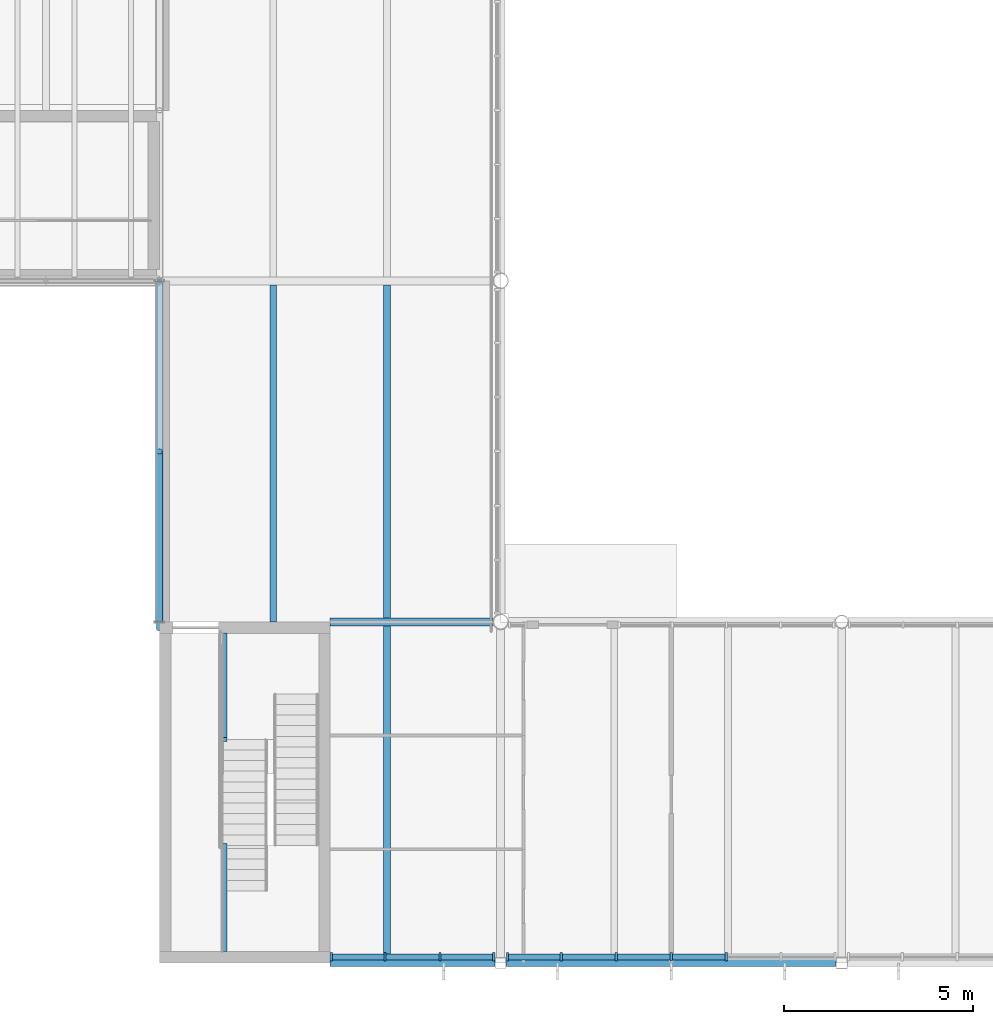
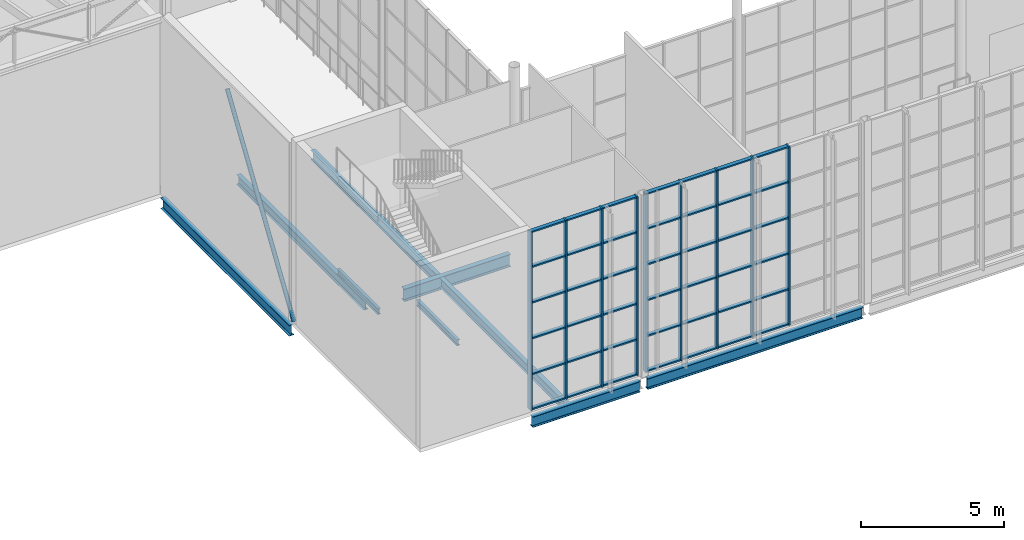
# One storey, part 46 of 90: 52 members, 10 beams, 2 elements without a shape of their own.
"""IFC4 building model written with IfcOpenShell, lengths in metres."""

from ifc_helpers import new_model, si_unit, direction, frame, origin, origin_2d, place, context, subcontext, project, spatial, rectangle, hollow_circle, i_section, extrude, material, layer, layer_set, material_profile, profile_set, type_object, element, aggregate, save


model = new_model("IFC4")

# Units and contexts
model_context = context("Model", 3, precision=1e-05, world=origin(), true_north=direction((0.0, 1.0)))
body_context = subcontext(model_context, "Body", "Model", "MODEL_VIEW")
ifc_project = project(units=[si_unit("LENGTHUNIT", "METRE"), si_unit("AREAUNIT", "SQUARE_METRE"), si_unit("VOLUMEUNIT", "CUBIC_METRE"), si_unit("PLANEANGLEUNIT", "RADIAN"), si_unit("MASSUNIT", "GRAM", prefix="KILO")], contexts=[model_context])

# Site, building, storey
site_placement = place(None, origin())
site = spatial("IfcSite", under=ifc_project, at=site_placement, CompositionType="ELEMENT")
building_placement = place(site_placement, origin())
building = spatial("IfcBuilding", under=site, at=building_placement, Name="Halyard Row Museum", CompositionType="ELEMENT")
storey_placement = place(building_placement, frame((0.0, 0.0, 13.39990234375)))
storey = spatial("IfcBuildingStorey", under=building, at=storey_placement, Name="L03", CompositionType="ELEMENT", Elevation=13.39990234375)

# Member
ifc_material_1 = material(Name="Steel Grade C350L0", Category="steel")
ifc_material_profile_1 = material_profile(ifc_material_1, hollow_circle(Radius=0.084228515625, WallThickness=0.007080078125, at=origin_2d()), Name="168.3x7.1CHS")
ifc_profile_set_1 = profile_set([ifc_material_profile_1], Name="Steel Grade C350L0")
member_type_1 = type_object("IfcMemberType", Name="Brace 168.3x7.1CHS", PredefinedType="BRACE", material=ifc_profile_set_1)
member_1_placement = place(storey_placement, frame((72.0, 8.830078125, 0.084228515625), z_axis=(0.0, 0.549136067158, 0.83573295959), x_axis=(-1.0, 0.0, 0.0)))
element("IfcMember", 1, at=member_1_placement, inside=storey, type_object=member_type_1, Name="Brace L03 X72 9-18 A", PredefinedType="BRACE", context=body_context, shape_type="SweptSolid", body=[
    extrude(hollow_circle(Radius=0.084228515625, WallThickness=0.007080078125, at=origin_2d()), origin(), (0.0, 0.0, 1.0), 8.504150390625),
])

# Curtain wall, members
ifc_material_2 = material(Name="Double glazed unit, low-emissivity", Category="glass")
ifc_layer = layer(ifc_material_2, 0.219970703125)
ifc_layer_set = layer_set([ifc_layer], Name="Double glazed unit, low-emissivity")
curtain_wall_type = type_object("IfcCurtainWallType", Name="Curtain wall unitised 220 deep", PredefinedType="NOTDEFINED", material=ifc_layer_set)
curtain_wall_1_placement = place(storey_placement, origin())
curtain_wall_1 = element("IfcCurtainWall", 2, at=curtain_wall_1_placement, inside=storey, type_object=curtain_wall_type, Name="Curtain wall CW044", PredefinedType="NOTDEFINED")
ifc_material_3 = material(Name="Powder-coated aluminium section", Category="aluminium")
ifc_material_profile_2 = material_profile(ifc_material_3, rectangle(XDim=0.219970703125, YDim=0.06005859375, at=origin_2d()), Name="220x60 mullion")
ifc_profile_set_2 = profile_set([ifc_material_profile_2], Name="Powder-coated aluminium section")
member_type_2 = type_object("IfcMemberType", Name="Curtain wall mullion CM3 60 x 220", PredefinedType="MULLION", material=ifc_profile_set_2)
member_2_placement = place(storey_placement, frame((76.530029296875, 0.159912109375, 0.0), z_axis=(0.0, 0.0, 1.0), x_axis=(0.0, 1.0, 0.0)))
member_2 = element("IfcMember", 3, at=member_2_placement, type_object=member_type_2, Name="CW044 mullion 1", PredefinedType="MULLION", context=body_context, shape_type="SweptSolid", body=[
    extrude(rectangle(XDim=0.219970703125, YDim=0.06005859375, at=origin_2d()), origin(), (0.0, 0.0, 1.0), 7.635009765625),
])
member_3_placement = place(storey_placement, frame((77.949951171875, 0.159912109375, 0.0), z_axis=(0.0, 0.0, 1.0), x_axis=(0.0, 1.0, 0.0)))
member_3 = element("IfcMember", 4, at=member_3_placement, type_object=member_type_2, Name="CW044 mullion 2", PredefinedType="MULLION", context=body_context, shape_type="SweptSolid", body=[
    extrude(rectangle(XDim=0.219970703125, YDim=0.06005859375, at=origin_2d()), origin(), (0.0, 0.0, 1.0), 7.635009765625),
])
member_4_placement = place(storey_placement, frame((79.39990234375, 0.159912109375, 0.0), z_axis=(0.0, 0.0, 1.0), x_axis=(0.0, 1.0, 0.0)))
member_4 = element("IfcMember", 5, at=member_4_placement, type_object=member_type_2, Name="CW044 mullion 3", PredefinedType="MULLION", context=body_context, shape_type="SweptSolid", body=[
    extrude(rectangle(XDim=0.219970703125, YDim=0.06005859375, at=origin_2d()), origin(), (0.0, 0.0, 1.0), 7.635009765625),
])
member_5_placement = place(storey_placement, frame((80.820068359375, 0.159912109375, 0.0), z_axis=(0.0, 0.0, 1.0), x_axis=(0.0, 1.0, 0.0)))
member_5 = element("IfcMember", 6, at=member_5_placement, type_object=member_type_2, Name="CW044 mullion 4", PredefinedType="MULLION", context=body_context, shape_type="SweptSolid", body=[
    extrude(rectangle(XDim=0.219970703125, YDim=0.06005859375, at=origin_2d()), origin(), (0.0, 0.0, 1.0), 7.635009765625),
])

curtain_wall_2_placement = place(storey_placement, origin())
curtain_wall_2 = element("IfcCurtainWall", 7, at=curtain_wall_2_placement, inside=storey, type_object=curtain_wall_type, Name="Curtain wall CW045", PredefinedType="NOTDEFINED")
member_6_placement = place(storey_placement, frame((81.179931640625, 0.159912109375, 0.0), z_axis=(0.0, 0.0, 1.0), x_axis=(0.0, 1.0, 0.0)))
member_6 = element("IfcMember", 8, at=member_6_placement, type_object=member_type_2, Name="CW045 mullion 1", PredefinedType="MULLION", context=body_context, shape_type="SweptSolid", body=[
    extrude(rectangle(XDim=0.219970703125, YDim=0.06005859375, at=origin_2d()), origin(), (0.0, 0.0, 1.0), 7.635009765625),
])
member_7_placement = place(storey_placement, frame((82.60009765625, 0.159912109375, 0.0), z_axis=(0.0, 0.0, 1.0), x_axis=(0.0, 1.0, 0.0)))
member_7 = element("IfcMember", 9, at=member_7_placement, type_object=member_type_2, Name="CW045 mullion 2", PredefinedType="MULLION", context=body_context, shape_type="SweptSolid", body=[
    extrude(rectangle(XDim=0.219970703125, YDim=0.06005859375, at=origin_2d()), origin(), (0.0, 0.0, 1.0), 7.635009765625),
])
member_8_placement = place(storey_placement, frame((84.050048828125, 0.159912109375, 0.0), z_axis=(0.0, 0.0, 1.0), x_axis=(0.0, 1.0, 0.0)))
member_8 = element("IfcMember", 10, at=member_8_placement, type_object=member_type_2, Name="CW045 mullion 3", PredefinedType="MULLION", context=body_context, shape_type="SweptSolid", body=[
    extrude(rectangle(XDim=0.219970703125, YDim=0.06005859375, at=origin_2d()), origin(), (0.0, 0.0, 1.0), 7.635009765625),
])
member_9_placement = place(storey_placement, frame((85.5, 0.159912109375, 0.0), z_axis=(0.0, 0.0, 1.0), x_axis=(0.0, 1.0, 0.0)))
member_9 = element("IfcMember", 11, at=member_9_placement, type_object=member_type_2, Name="CW045 mullion 4", PredefinedType="MULLION", context=body_context, shape_type="SweptSolid", body=[
    extrude(rectangle(XDim=0.219970703125, YDim=0.06005859375, at=origin_2d()), origin(), (0.0, 0.0, 1.0), 7.635009765625),
])
member_10_placement = place(storey_placement, frame((86.949951171875, 0.159912109375, 0.0), z_axis=(0.0, 0.0, 1.0), x_axis=(0.0, 1.0, 0.0)))
member_10 = element("IfcMember", 12, at=member_10_placement, type_object=member_type_2, Name="CW045 mullion 5", PredefinedType="MULLION", context=body_context, shape_type="SweptSolid", body=[
    extrude(rectangle(XDim=0.219970703125, YDim=0.06005859375, at=origin_2d()), origin(), (0.0, 0.0, 1.0), 7.635009765625),
])

# Member
ifc_material_4 = material(Name="Powder-coated aluminium section", Category="aluminium")
ifc_material_profile_3 = material_profile(ifc_material_4, rectangle(XDim=0.159912109375, YDim=0.06005859375, at=origin_2d()), Name="160x60 transom")
ifc_profile_set_3 = profile_set([ifc_material_profile_3], Name="Powder-coated aluminium section")
member_type_3 = type_object("IfcMemberType", Name="Curtain wall transom CT3 60 x 160", PredefinedType="USERDEFINED", material=ifc_profile_set_3)
member_11_placement = place(storey_placement, frame((76.56005859375, 0.159912109375, 0.030029296875), z_axis=(1.0, 0.0, 0.0), x_axis=(0.0, 1.0, 0.0)))
member_11 = element("IfcMember", 13, at=member_11_placement, type_object=member_type_3, Name="CW044 transom 1.1", ObjectType="TRANSOM", PredefinedType="USERDEFINED", context=body_context, shape_type="SweptSolid", body=[
    extrude(rectangle(XDim=0.159912109375, YDim=0.06005859375, at=origin_2d()), origin(), (0.0, 0.0, 1.0), 1.35986328125),
])

member_12_placement = place(storey_placement, frame((76.56005859375, 0.159912109375, 1.527099609375), z_axis=(1.0, 0.0, 0.0), x_axis=(0.0, 1.0, 0.0)))
member_12 = element("IfcMember", 14, at=member_12_placement, type_object=member_type_3, Name="CW044 transom 1.2", ObjectType="TRANSOM", PredefinedType="USERDEFINED", context=body_context, shape_type="SweptSolid", body=[
    extrude(rectangle(XDim=0.159912109375, YDim=0.06005859375, at=origin_2d()), origin(), (0.0, 0.0, 1.0), 1.35986328125),
])

member_13_placement = place(storey_placement, frame((76.56005859375, 0.159912109375, 3.05419921875), z_axis=(1.0, 0.0, 0.0), x_axis=(0.0, 1.0, 0.0)))
member_13 = element("IfcMember", 15, at=member_13_placement, type_object=member_type_3, Name="CW044 transom 1.3", ObjectType="TRANSOM", PredefinedType="USERDEFINED", context=body_context, shape_type="SweptSolid", body=[
    extrude(rectangle(XDim=0.159912109375, YDim=0.06005859375, at=origin_2d()), origin(), (0.0, 0.0, 1.0), 1.35986328125),
])

member_14_placement = place(storey_placement, frame((76.56005859375, 0.159912109375, 4.5810546875), z_axis=(1.0, 0.0, 0.0), x_axis=(0.0, 1.0, 0.0)))
member_14 = element("IfcMember", 16, at=member_14_placement, type_object=member_type_3, Name="CW044 transom 1.4", ObjectType="TRANSOM", PredefinedType="USERDEFINED", context=body_context, shape_type="SweptSolid", body=[
    extrude(rectangle(XDim=0.159912109375, YDim=0.06005859375, at=origin_2d()), origin(), (0.0, 0.0, 1.0), 1.35986328125),
])

member_15_placement = place(storey_placement, frame((76.56005859375, 0.159912109375, 6.108154296875), z_axis=(1.0, 0.0, 0.0), x_axis=(0.0, 1.0, 0.0)))
member_15 = element("IfcMember", 17, at=member_15_placement, type_object=member_type_3, Name="CW044 transom 1.5", ObjectType="TRANSOM", PredefinedType="USERDEFINED", context=body_context, shape_type="SweptSolid", body=[
    extrude(rectangle(XDim=0.159912109375, YDim=0.06005859375, at=origin_2d()), origin(), (0.0, 0.0, 1.0), 1.35986328125),
])

member_16_placement = place(storey_placement, frame((76.56005859375, 0.159912109375, 7.60498046875), z_axis=(1.0, 0.0, 0.0), x_axis=(0.0, 1.0, 0.0)))
member_16 = element("IfcMember", 18, at=member_16_placement, type_object=member_type_3, Name="CW044 transom 1.6", ObjectType="TRANSOM", PredefinedType="USERDEFINED", context=body_context, shape_type="SweptSolid", body=[
    extrude(rectangle(XDim=0.159912109375, YDim=0.06005859375, at=origin_2d()), origin(), (0.0, 0.0, 1.0), 1.35986328125),
])

member_17_placement = place(storey_placement, frame((77.97998046875, 0.159912109375, 0.030029296875), z_axis=(1.0, 0.0, 0.0), x_axis=(0.0, 1.0, 0.0)))
member_17 = element("IfcMember", 19, at=member_17_placement, type_object=member_type_3, Name="CW044 transom 2.1", ObjectType="TRANSOM", PredefinedType="USERDEFINED", context=body_context, shape_type="SweptSolid", body=[
    extrude(rectangle(XDim=0.159912109375, YDim=0.06005859375, at=origin_2d()), origin(), (0.0, 0.0, 1.0), 1.39013671875),
])

member_18_placement = place(storey_placement, frame((77.97998046875, 0.159912109375, 1.527099609375), z_axis=(1.0, 0.0, 0.0), x_axis=(0.0, 1.0, 0.0)))
member_18 = element("IfcMember", 20, at=member_18_placement, type_object=member_type_3, Name="CW044 transom 2.2", ObjectType="TRANSOM", PredefinedType="USERDEFINED", context=body_context, shape_type="SweptSolid", body=[
    extrude(rectangle(XDim=0.159912109375, YDim=0.06005859375, at=origin_2d()), origin(), (0.0, 0.0, 1.0), 1.39013671875),
])

member_19_placement = place(storey_placement, frame((77.97998046875, 0.159912109375, 3.05419921875), z_axis=(1.0, 0.0, 0.0), x_axis=(0.0, 1.0, 0.0)))
member_19 = element("IfcMember", 21, at=member_19_placement, type_object=member_type_3, Name="CW044 transom 2.3", ObjectType="TRANSOM", PredefinedType="USERDEFINED", context=body_context, shape_type="SweptSolid", body=[
    extrude(rectangle(XDim=0.159912109375, YDim=0.06005859375, at=origin_2d()), origin(), (0.0, 0.0, 1.0), 1.39013671875),
])

member_20_placement = place(storey_placement, frame((77.97998046875, 0.159912109375, 4.5810546875), z_axis=(1.0, 0.0, 0.0), x_axis=(0.0, 1.0, 0.0)))
member_20 = element("IfcMember", 22, at=member_20_placement, type_object=member_type_3, Name="CW044 transom 2.4", ObjectType="TRANSOM", PredefinedType="USERDEFINED", context=body_context, shape_type="SweptSolid", body=[
    extrude(rectangle(XDim=0.159912109375, YDim=0.06005859375, at=origin_2d()), origin(), (0.0, 0.0, 1.0), 1.39013671875),
])

member_21_placement = place(storey_placement, frame((77.97998046875, 0.159912109375, 6.108154296875), z_axis=(1.0, 0.0, 0.0), x_axis=(0.0, 1.0, 0.0)))
member_21 = element("IfcMember", 23, at=member_21_placement, type_object=member_type_3, Name="CW044 transom 2.5", ObjectType="TRANSOM", PredefinedType="USERDEFINED", context=body_context, shape_type="SweptSolid", body=[
    extrude(rectangle(XDim=0.159912109375, YDim=0.06005859375, at=origin_2d()), origin(), (0.0, 0.0, 1.0), 1.39013671875),
])

member_22_placement = place(storey_placement, frame((77.97998046875, 0.159912109375, 7.60498046875), z_axis=(1.0, 0.0, 0.0), x_axis=(0.0, 1.0, 0.0)))
member_22 = element("IfcMember", 24, at=member_22_placement, type_object=member_type_3, Name="CW044 transom 2.6", ObjectType="TRANSOM", PredefinedType="USERDEFINED", context=body_context, shape_type="SweptSolid", body=[
    extrude(rectangle(XDim=0.159912109375, YDim=0.06005859375, at=origin_2d()), origin(), (0.0, 0.0, 1.0), 1.39013671875),
])

member_23_placement = place(storey_placement, frame((79.429931640625, 0.159912109375, 0.030029296875), z_axis=(1.0, 0.0, 0.0), x_axis=(0.0, 1.0, 0.0)))
member_23 = element("IfcMember", 25, at=member_23_placement, type_object=member_type_3, Name="CW044 transom 3.1", ObjectType="TRANSOM", PredefinedType="USERDEFINED", context=body_context, shape_type="SweptSolid", body=[
    extrude(rectangle(XDim=0.159912109375, YDim=0.06005859375, at=origin_2d()), origin(), (0.0, 0.0, 1.0), 1.360107421875),
])

member_24_placement = place(storey_placement, frame((79.429931640625, 0.159912109375, 1.527099609375), z_axis=(1.0, 0.0, 0.0), x_axis=(0.0, 1.0, 0.0)))
member_24 = element("IfcMember", 26, at=member_24_placement, type_object=member_type_3, Name="CW044 transom 3.2", ObjectType="TRANSOM", PredefinedType="USERDEFINED", context=body_context, shape_type="SweptSolid", body=[
    extrude(rectangle(XDim=0.159912109375, YDim=0.06005859375, at=origin_2d()), origin(), (0.0, 0.0, 1.0), 1.360107421875),
])

member_25_placement = place(storey_placement, frame((79.429931640625, 0.159912109375, 3.05419921875), z_axis=(1.0, 0.0, 0.0), x_axis=(0.0, 1.0, 0.0)))
member_25 = element("IfcMember", 27, at=member_25_placement, type_object=member_type_3, Name="CW044 transom 3.3", ObjectType="TRANSOM", PredefinedType="USERDEFINED", context=body_context, shape_type="SweptSolid", body=[
    extrude(rectangle(XDim=0.159912109375, YDim=0.06005859375, at=origin_2d()), origin(), (0.0, 0.0, 1.0), 1.360107421875),
])

member_26_placement = place(storey_placement, frame((79.429931640625, 0.159912109375, 4.5810546875), z_axis=(1.0, 0.0, 0.0), x_axis=(0.0, 1.0, 0.0)))
member_26 = element("IfcMember", 28, at=member_26_placement, type_object=member_type_3, Name="CW044 transom 3.4", ObjectType="TRANSOM", PredefinedType="USERDEFINED", context=body_context, shape_type="SweptSolid", body=[
    extrude(rectangle(XDim=0.159912109375, YDim=0.06005859375, at=origin_2d()), origin(), (0.0, 0.0, 1.0), 1.360107421875),
])

member_27_placement = place(storey_placement, frame((79.429931640625, 0.159912109375, 6.108154296875), z_axis=(1.0, 0.0, 0.0), x_axis=(0.0, 1.0, 0.0)))
member_27 = element("IfcMember", 29, at=member_27_placement, type_object=member_type_3, Name="CW044 transom 3.5", ObjectType="TRANSOM", PredefinedType="USERDEFINED", context=body_context, shape_type="SweptSolid", body=[
    extrude(rectangle(XDim=0.159912109375, YDim=0.06005859375, at=origin_2d()), origin(), (0.0, 0.0, 1.0), 1.360107421875),
])

member_28_placement = place(storey_placement, frame((79.429931640625, 0.159912109375, 7.60498046875), z_axis=(1.0, 0.0, 0.0), x_axis=(0.0, 1.0, 0.0)))
member_28 = element("IfcMember", 30, at=member_28_placement, type_object=member_type_3, Name="CW044 transom 3.6", ObjectType="TRANSOM", PredefinedType="USERDEFINED", context=body_context, shape_type="SweptSolid", body=[
    extrude(rectangle(XDim=0.159912109375, YDim=0.06005859375, at=origin_2d()), origin(), (0.0, 0.0, 1.0), 1.360107421875),
])

aggregate(curtain_wall_1, [member_2, member_3, member_4, member_5, member_11, member_12, member_13, member_14, member_15, member_16, member_17, member_18, member_19, member_20, member_21, member_22, member_23, member_24, member_25, member_26, member_27, member_28])

member_29_placement = place(storey_placement, frame((81.2099609375, 0.159912109375, 0.030029296875), z_axis=(1.0, 0.0, 0.0), x_axis=(0.0, 1.0, 0.0)))
member_29 = element("IfcMember", 31, at=member_29_placement, type_object=member_type_3, Name="CW045 transom 1.1", ObjectType="TRANSOM", PredefinedType="USERDEFINED", context=body_context, shape_type="SweptSolid", body=[
    extrude(rectangle(XDim=0.159912109375, YDim=0.06005859375, at=origin_2d()), origin(), (0.0, 0.0, 1.0), 1.360107421875),
])

member_30_placement = place(storey_placement, frame((81.2099609375, 0.159912109375, 1.527099609375), z_axis=(1.0, 0.0, 0.0), x_axis=(0.0, 1.0, 0.0)))
member_30 = element("IfcMember", 32, at=member_30_placement, type_object=member_type_3, Name="CW045 transom 1.2", ObjectType="TRANSOM", PredefinedType="USERDEFINED", context=body_context, shape_type="SweptSolid", body=[
    extrude(rectangle(XDim=0.159912109375, YDim=0.06005859375, at=origin_2d()), origin(), (0.0, 0.0, 1.0), 1.360107421875),
])

member_31_placement = place(storey_placement, frame((81.2099609375, 0.159912109375, 3.05419921875), z_axis=(1.0, 0.0, 0.0), x_axis=(0.0, 1.0, 0.0)))
member_31 = element("IfcMember", 33, at=member_31_placement, type_object=member_type_3, Name="CW045 transom 1.3", ObjectType="TRANSOM", PredefinedType="USERDEFINED", context=body_context, shape_type="SweptSolid", body=[
    extrude(rectangle(XDim=0.159912109375, YDim=0.06005859375, at=origin_2d()), origin(), (0.0, 0.0, 1.0), 1.360107421875),
])

member_32_placement = place(storey_placement, frame((81.2099609375, 0.159912109375, 4.5810546875), z_axis=(1.0, 0.0, 0.0), x_axis=(0.0, 1.0, 0.0)))
member_32 = element("IfcMember", 34, at=member_32_placement, type_object=member_type_3, Name="CW045 transom 1.4", ObjectType="TRANSOM", PredefinedType="USERDEFINED", context=body_context, shape_type="SweptSolid", body=[
    extrude(rectangle(XDim=0.159912109375, YDim=0.06005859375, at=origin_2d()), origin(), (0.0, 0.0, 1.0), 1.360107421875),
])

member_33_placement = place(storey_placement, frame((81.2099609375, 0.159912109375, 6.108154296875), z_axis=(1.0, 0.0, 0.0), x_axis=(0.0, 1.0, 0.0)))
member_33 = element("IfcMember", 35, at=member_33_placement, type_object=member_type_3, Name="CW045 transom 1.5", ObjectType="TRANSOM", PredefinedType="USERDEFINED", context=body_context, shape_type="SweptSolid", body=[
    extrude(rectangle(XDim=0.159912109375, YDim=0.06005859375, at=origin_2d()), origin(), (0.0, 0.0, 1.0), 1.360107421875),
])

member_34_placement = place(storey_placement, frame((81.2099609375, 0.159912109375, 7.60498046875), z_axis=(1.0, 0.0, 0.0), x_axis=(0.0, 1.0, 0.0)))
member_34 = element("IfcMember", 36, at=member_34_placement, type_object=member_type_3, Name="CW045 transom 1.6", ObjectType="TRANSOM", PredefinedType="USERDEFINED", context=body_context, shape_type="SweptSolid", body=[
    extrude(rectangle(XDim=0.159912109375, YDim=0.06005859375, at=origin_2d()), origin(), (0.0, 0.0, 1.0), 1.360107421875),
])

member_35_placement = place(storey_placement, frame((82.6298828125, 0.159912109375, 0.030029296875), z_axis=(1.0, 0.0, 0.0), x_axis=(0.0, 1.0, 0.0)))
member_35 = element("IfcMember", 37, at=member_35_placement, type_object=member_type_3, Name="CW045 transom 2.1", ObjectType="TRANSOM", PredefinedType="USERDEFINED", context=body_context, shape_type="SweptSolid", body=[
    extrude(rectangle(XDim=0.159912109375, YDim=0.06005859375, at=origin_2d()), origin(), (0.0, 0.0, 1.0), 1.39013671875),
])

member_36_placement = place(storey_placement, frame((82.6298828125, 0.159912109375, 1.527099609375), z_axis=(1.0, 0.0, 0.0), x_axis=(0.0, 1.0, 0.0)))
member_36 = element("IfcMember", 38, at=member_36_placement, type_object=member_type_3, Name="CW045 transom 2.2", ObjectType="TRANSOM", PredefinedType="USERDEFINED", context=body_context, shape_type="SweptSolid", body=[
    extrude(rectangle(XDim=0.159912109375, YDim=0.06005859375, at=origin_2d()), origin(), (0.0, 0.0, 1.0), 1.39013671875),
])

member_37_placement = place(storey_placement, frame((82.6298828125, 0.159912109375, 3.05419921875), z_axis=(1.0, 0.0, 0.0), x_axis=(0.0, 1.0, 0.0)))
member_37 = element("IfcMember", 39, at=member_37_placement, type_object=member_type_3, Name="CW045 transom 2.3", ObjectType="TRANSOM", PredefinedType="USERDEFINED", context=body_context, shape_type="SweptSolid", body=[
    extrude(rectangle(XDim=0.159912109375, YDim=0.06005859375, at=origin_2d()), origin(), (0.0, 0.0, 1.0), 1.39013671875),
])

member_38_placement = place(storey_placement, frame((82.6298828125, 0.159912109375, 4.5810546875), z_axis=(1.0, 0.0, 0.0), x_axis=(0.0, 1.0, 0.0)))
member_38 = element("IfcMember", 40, at=member_38_placement, type_object=member_type_3, Name="CW045 transom 2.4", ObjectType="TRANSOM", PredefinedType="USERDEFINED", context=body_context, shape_type="SweptSolid", body=[
    extrude(rectangle(XDim=0.159912109375, YDim=0.06005859375, at=origin_2d()), origin(), (0.0, 0.0, 1.0), 1.39013671875),
])

member_39_placement = place(storey_placement, frame((82.6298828125, 0.159912109375, 6.108154296875), z_axis=(1.0, 0.0, 0.0), x_axis=(0.0, 1.0, 0.0)))
member_39 = element("IfcMember", 41, at=member_39_placement, type_object=member_type_3, Name="CW045 transom 2.5", ObjectType="TRANSOM", PredefinedType="USERDEFINED", context=body_context, shape_type="SweptSolid", body=[
    extrude(rectangle(XDim=0.159912109375, YDim=0.06005859375, at=origin_2d()), origin(), (0.0, 0.0, 1.0), 1.39013671875),
])

member_40_placement = place(storey_placement, frame((82.6298828125, 0.159912109375, 7.60498046875), z_axis=(1.0, 0.0, 0.0), x_axis=(0.0, 1.0, 0.0)))
member_40 = element("IfcMember", 42, at=member_40_placement, type_object=member_type_3, Name="CW045 transom 2.6", ObjectType="TRANSOM", PredefinedType="USERDEFINED", context=body_context, shape_type="SweptSolid", body=[
    extrude(rectangle(XDim=0.159912109375, YDim=0.06005859375, at=origin_2d()), origin(), (0.0, 0.0, 1.0), 1.39013671875),
])

member_41_placement = place(storey_placement, frame((84.080078125, 0.159912109375, 0.030029296875), z_axis=(1.0, 0.0, 0.0), x_axis=(0.0, 1.0, 0.0)))
member_41 = element("IfcMember", 43, at=member_41_placement, type_object=member_type_3, Name="CW045 transom 3.1", ObjectType="TRANSOM", PredefinedType="USERDEFINED", context=body_context, shape_type="SweptSolid", body=[
    extrude(rectangle(XDim=0.159912109375, YDim=0.06005859375, at=origin_2d()), origin(), (0.0, 0.0, 1.0), 1.389892578125),
])

member_42_placement = place(storey_placement, frame((84.080078125, 0.159912109375, 1.527099609375), z_axis=(1.0, 0.0, 0.0), x_axis=(0.0, 1.0, 0.0)))
member_42 = element("IfcMember", 44, at=member_42_placement, type_object=member_type_3, Name="CW045 transom 3.2", ObjectType="TRANSOM", PredefinedType="USERDEFINED", context=body_context, shape_type="SweptSolid", body=[
    extrude(rectangle(XDim=0.159912109375, YDim=0.06005859375, at=origin_2d()), origin(), (0.0, 0.0, 1.0), 1.389892578125),
])

member_43_placement = place(storey_placement, frame((84.080078125, 0.159912109375, 3.05419921875), z_axis=(1.0, 0.0, 0.0), x_axis=(0.0, 1.0, 0.0)))
member_43 = element("IfcMember", 45, at=member_43_placement, type_object=member_type_3, Name="CW045 transom 3.3", ObjectType="TRANSOM", PredefinedType="USERDEFINED", context=body_context, shape_type="SweptSolid", body=[
    extrude(rectangle(XDim=0.159912109375, YDim=0.06005859375, at=origin_2d()), origin(), (0.0, 0.0, 1.0), 1.389892578125),
])

member_44_placement = place(storey_placement, frame((84.080078125, 0.159912109375, 4.5810546875), z_axis=(1.0, 0.0, 0.0), x_axis=(0.0, 1.0, 0.0)))
member_44 = element("IfcMember", 46, at=member_44_placement, type_object=member_type_3, Name="CW045 transom 3.4", ObjectType="TRANSOM", PredefinedType="USERDEFINED", context=body_context, shape_type="SweptSolid", body=[
    extrude(rectangle(XDim=0.159912109375, YDim=0.06005859375, at=origin_2d()), origin(), (0.0, 0.0, 1.0), 1.389892578125),
])

member_45_placement = place(storey_placement, frame((84.080078125, 0.159912109375, 6.108154296875), z_axis=(1.0, 0.0, 0.0), x_axis=(0.0, 1.0, 0.0)))
member_45 = element("IfcMember", 47, at=member_45_placement, type_object=member_type_3, Name="CW045 transom 3.5", ObjectType="TRANSOM", PredefinedType="USERDEFINED", context=body_context, shape_type="SweptSolid", body=[
    extrude(rectangle(XDim=0.159912109375, YDim=0.06005859375, at=origin_2d()), origin(), (0.0, 0.0, 1.0), 1.389892578125),
])

member_46_placement = place(storey_placement, frame((84.080078125, 0.159912109375, 7.60498046875), z_axis=(1.0, 0.0, 0.0), x_axis=(0.0, 1.0, 0.0)))
member_46 = element("IfcMember", 48, at=member_46_placement, type_object=member_type_3, Name="CW045 transom 3.6", ObjectType="TRANSOM", PredefinedType="USERDEFINED", context=body_context, shape_type="SweptSolid", body=[
    extrude(rectangle(XDim=0.159912109375, YDim=0.06005859375, at=origin_2d()), origin(), (0.0, 0.0, 1.0), 1.389892578125),
])

member_47_placement = place(storey_placement, frame((85.530029296875, 0.159912109375, 0.030029296875), z_axis=(1.0, 0.0, 0.0), x_axis=(0.0, 1.0, 0.0)))
member_47 = element("IfcMember", 49, at=member_47_placement, type_object=member_type_3, Name="CW045 transom 4.1", ObjectType="TRANSOM", PredefinedType="USERDEFINED", context=body_context, shape_type="SweptSolid", body=[
    extrude(rectangle(XDim=0.159912109375, YDim=0.06005859375, at=origin_2d()), origin(), (0.0, 0.0, 1.0), 1.389892578125),
])

member_48_placement = place(storey_placement, frame((85.530029296875, 0.159912109375, 1.527099609375), z_axis=(1.0, 0.0, 0.0), x_axis=(0.0, 1.0, 0.0)))
member_48 = element("IfcMember", 50, at=member_48_placement, type_object=member_type_3, Name="CW045 transom 4.2", ObjectType="TRANSOM", PredefinedType="USERDEFINED", context=body_context, shape_type="SweptSolid", body=[
    extrude(rectangle(XDim=0.159912109375, YDim=0.06005859375, at=origin_2d()), origin(), (0.0, 0.0, 1.0), 1.389892578125),
])

member_49_placement = place(storey_placement, frame((85.530029296875, 0.159912109375, 3.05419921875), z_axis=(1.0, 0.0, 0.0), x_axis=(0.0, 1.0, 0.0)))
member_49 = element("IfcMember", 51, at=member_49_placement, type_object=member_type_3, Name="CW045 transom 4.3", ObjectType="TRANSOM", PredefinedType="USERDEFINED", context=body_context, shape_type="SweptSolid", body=[
    extrude(rectangle(XDim=0.159912109375, YDim=0.06005859375, at=origin_2d()), origin(), (0.0, 0.0, 1.0), 1.389892578125),
])

member_50_placement = place(storey_placement, frame((85.530029296875, 0.159912109375, 4.5810546875), z_axis=(1.0, 0.0, 0.0), x_axis=(0.0, 1.0, 0.0)))
member_50 = element("IfcMember", 52, at=member_50_placement, type_object=member_type_3, Name="CW045 transom 4.4", ObjectType="TRANSOM", PredefinedType="USERDEFINED", context=body_context, shape_type="SweptSolid", body=[
    extrude(rectangle(XDim=0.159912109375, YDim=0.06005859375, at=origin_2d()), origin(), (0.0, 0.0, 1.0), 1.389892578125),
])

member_51_placement = place(storey_placement, frame((85.530029296875, 0.159912109375, 6.108154296875), z_axis=(1.0, 0.0, 0.0), x_axis=(0.0, 1.0, 0.0)))
member_51 = element("IfcMember", 53, at=member_51_placement, type_object=member_type_3, Name="CW045 transom 4.5", ObjectType="TRANSOM", PredefinedType="USERDEFINED", context=body_context, shape_type="SweptSolid", body=[
    extrude(rectangle(XDim=0.159912109375, YDim=0.06005859375, at=origin_2d()), origin(), (0.0, 0.0, 1.0), 1.389892578125),
])

member_52_placement = place(storey_placement, frame((85.530029296875, 0.159912109375, 7.60498046875), z_axis=(1.0, 0.0, 0.0), x_axis=(0.0, 1.0, 0.0)))
member_52 = element("IfcMember", 54, at=member_52_placement, type_object=member_type_3, Name="CW045 transom 4.6", ObjectType="TRANSOM", PredefinedType="USERDEFINED", context=body_context, shape_type="SweptSolid", body=[
    extrude(rectangle(XDim=0.159912109375, YDim=0.06005859375, at=origin_2d()), origin(), (0.0, 0.0, 1.0), 1.389892578125),
])

aggregate(curtain_wall_2, [member_6, member_7, member_8, member_9, member_10, member_29, member_30, member_31, member_32, member_33, member_34, member_35, member_36, member_37, member_38, member_39, member_40, member_41, member_42, member_43, member_44, member_45, member_46, member_47, member_48, member_49, member_50, member_51, member_52])

# Beams
ifc_material_5 = material(Name="Steel Grade 300", Category="steel")
ifc_material_profile_4 = material_profile(ifc_material_5, i_section(OverallWidth=0.18994140625, OverallDepth=0.45751953125, WebThickness=0.009033203125, FlangeThickness=0.014404296875, FilletRadius=0.011474609375, at=origin_2d()), Name="460UB74.6")
ifc_profile_set_4 = profile_set([ifc_material_profile_4], Name="Steel Grade 300")
beam_type_1 = type_object("IfcBeamType", Name="Edge beam 460UB74.6", PredefinedType="BEAM", material=ifc_profile_set_4)
beam_1_placement = place(storey_placement, frame((76.5, 0.0, -0.3935546875), z_axis=(1.0, 0.0, 0.0), x_axis=(0.0, 1.0, 0.0)))
element("IfcBeam", 55, at=beam_1_placement, inside=storey, type_object=beam_type_1, Name="Beam L03-002", PredefinedType="BEAM", context=body_context, shape_type="SweptSolid", body=[
    extrude(i_section(OverallWidth=0.18994140625, OverallDepth=0.45751953125, WebThickness=0.009033203125, FlangeThickness=0.014404296875, FilletRadius=0.011474609375, at=origin_2d()), origin(), (0.0, 0.0, 1.0), 4.35009765625),
])
beam_2_placement = place(storey_placement, frame((81.14990234375, 0.0, -0.3935546875), z_axis=(1.0, 0.0, 0.0), x_axis=(0.0, 1.0, 0.0)))
element("IfcBeam", 56, at=beam_2_placement, inside=storey, type_object=beam_type_1, Name="Beam L03-003", PredefinedType="BEAM", context=body_context, shape_type="SweptSolid", body=[
    extrude(i_section(OverallWidth=0.18994140625, OverallDepth=0.45751953125, WebThickness=0.009033203125, FlangeThickness=0.014404296875, FilletRadius=0.011474609375, at=origin_2d()), origin(), (0.0, 0.0, 1.0), 8.7001953125),
])
beam_3_placement = place(storey_placement, frame((72.0, 9.0, -0.3935546875), z_axis=(0.0, 1.0, 0.0), x_axis=(-1.0, 0.0, 0.0)))
element("IfcBeam", 57, at=beam_3_placement, inside=storey, type_object=beam_type_1, Name="Beam L03-052", PredefinedType="BEAM", context=body_context, shape_type="SweptSolid", body=[
    extrude(i_section(OverallWidth=0.18994140625, OverallDepth=0.45751953125, WebThickness=0.009033203125, FlangeThickness=0.014404296875, FilletRadius=0.011474609375, at=origin_2d()), origin(), (0.0, 0.0, 1.0), 9.0),
])
ifc_material_6 = material(Name="Steel Grade 300", Category="steel")
ifc_material_profile_5 = material_profile(ifc_material_6, i_section(OverallWidth=0.208984375, OverallDepth=0.532958984375, WebThickness=0.01025390625, FlangeThickness=0.015625, FilletRadius=0.013916015625, at=origin_2d()), Name="530UB92.4")
ifc_profile_set_5 = profile_set([ifc_material_profile_5], Name="Steel Grade 300")
beam_type_2 = type_object("IfcBeamType", Name="Girder beam 530UB92.4", PredefinedType="BEAM", material=ifc_profile_set_5)
beam_4_placement = place(storey_placement, frame((76.5, 9.0, -0.431396484375), z_axis=(1.0, 0.0, 0.0), x_axis=(0.0, 1.0, 0.0)))
element("IfcBeam", 58, at=beam_4_placement, inside=storey, type_object=beam_type_2, Name="Beam L03-008", PredefinedType="BEAM", context=body_context, shape_type="SweptSolid", body=[
    extrude(i_section(OverallWidth=0.208984375, OverallDepth=0.532958984375, WebThickness=0.01025390625, FlangeThickness=0.015625, FilletRadius=0.013916015625, at=origin_2d()), origin(), (0.0, 0.0, 1.0), 4.296875),
])
ifc_material_7 = material(Name="Steel Grade 300", Category="steel")
ifc_material_profile_6 = material_profile(ifc_material_7, i_section(OverallWidth=0.1240234375, OverallDepth=0.248046875, WebThickness=0.0048828125, FlangeThickness=0.008056640625, FilletRadius=0.011962890625, at=origin_2d()), Name="250UB25.7")
ifc_profile_set_6 = profile_set([ifc_material_profile_6], Name="Steel Grade 300")
beam_type_3 = type_object("IfcBeamType", Name="Landing trimmer 250UB25.7", PredefinedType="BEAM", material=ifc_profile_set_6)
for number, where, z_axis, x_axis, name in (
    (59, (73.721923828125, 8.702880859375, 1.7109375), (0.0, -1.0, 0.0), (1.0, 0.0, 0.0), "Landing ledger K2A L03 1"),
    (60, (73.721923828125, 0.297119140625, 3.74560546875), (0.0, 1.0, 0.0), (-1.0, 0.0, 0.0), "Landing ledger K2A L03 2"),
):
    element("IfcBeam", number, at=place(storey_placement, frame(where, z_axis=z_axis, x_axis=x_axis)), inside=storey, type_object=beam_type_3, Name=name, PredefinedType="BEAM", context=body_context, shape_type="SweptSolid", body=[
        extrude(i_section(OverallWidth=0.1240234375, OverallDepth=0.248046875, WebThickness=0.0048828125, FlangeThickness=0.008056640625, FilletRadius=0.011962890625, at=origin_2d()), origin(), (0.0, 0.0, 1.0), 2.852783203125),
    ])
beam_5_placement = place(storey_placement, frame((73.721923828125, 8.702880859375, 5.61083984375), z_axis=(0.0, -1.0, 0.0), x_axis=(1.0, 0.0, 0.0)))
element("IfcBeam", 61, at=beam_5_placement, inside=storey, type_object=beam_type_3, Name="Landing ledger K2A L03 3", PredefinedType="BEAM", context=body_context, shape_type="SweptSolid", body=[
    extrude(i_section(OverallWidth=0.1240234375, OverallDepth=0.248046875, WebThickness=0.0048828125, FlangeThickness=0.008056640625, FilletRadius=0.011962890625, at=origin_2d()), origin(), (0.0, 0.0, 1.0), 2.7529296875),
])
ifc_material_8 = material(Name="Steel Grade 300", Category="steel")
ifc_material_profile_7 = material_profile(ifc_material_8, i_section(OverallWidth=0.177978515625, OverallDepth=0.406494140625, WebThickness=0.0078125, FlangeThickness=0.0126953125, FilletRadius=0.011474609375, at=origin_2d()), Name="410UB59.7")
ifc_profile_set_7 = profile_set([ifc_material_profile_7], Name="Steel Grade 300")
beam_type_4 = type_object("IfcBeamType", Name="Secondary beam 410UB59.7", PredefinedType="BEAM", material=ifc_profile_set_7)
beam_6_placement = place(storey_placement, frame((78.0, 0.094970703125, -0.3681640625), z_axis=(0.0, 1.0, 0.0), x_axis=(-1.0, 0.0, 0.0)))
element("IfcBeam", 62, at=beam_6_placement, inside=storey, type_object=beam_type_4, Name="Beam L03-075", PredefinedType="BEAM", context=body_context, shape_type="SweptSolid", body=[
    extrude(i_section(OverallWidth=0.177978515625, OverallDepth=0.406494140625, WebThickness=0.0078125, FlangeThickness=0.0126953125, FilletRadius=0.011474609375, at=origin_2d()), origin(), (0.0, 0.0, 1.0), 8.800537109375),
])
beam_7_placement = place(storey_placement, frame((75.0, 9.0, -0.3681640625), z_axis=(0.0, 1.0, 0.0), x_axis=(-1.0, 0.0, 0.0)))
element("IfcBeam", 63, at=beam_7_placement, inside=storey, type_object=beam_type_4, Name="Beam L03-081", PredefinedType="BEAM", context=body_context, shape_type="SweptSolid", body=[
    extrude(i_section(OverallWidth=0.177978515625, OverallDepth=0.406494140625, WebThickness=0.0078125, FlangeThickness=0.0126953125, FilletRadius=0.011474609375, at=origin_2d()), origin(), (0.0, 0.0, 1.0), 8.8955078125),
])
beam_8_placement = place(storey_placement, frame((78.0, 9.1044921875, -0.3681640625), z_axis=(0.0, 1.0, 0.0), x_axis=(-1.0, 0.0, 0.0)))
element("IfcBeam", 64, at=beam_8_placement, inside=storey, type_object=beam_type_4, Name="Beam L03-083", PredefinedType="BEAM", context=body_context, shape_type="SweptSolid", body=[
    extrude(i_section(OverallWidth=0.177978515625, OverallDepth=0.406494140625, WebThickness=0.0078125, FlangeThickness=0.0126953125, FilletRadius=0.011474609375, at=origin_2d()), origin(), (0.0, 0.0, 1.0), 8.791015625),
])

save(model, "model.ifc")
